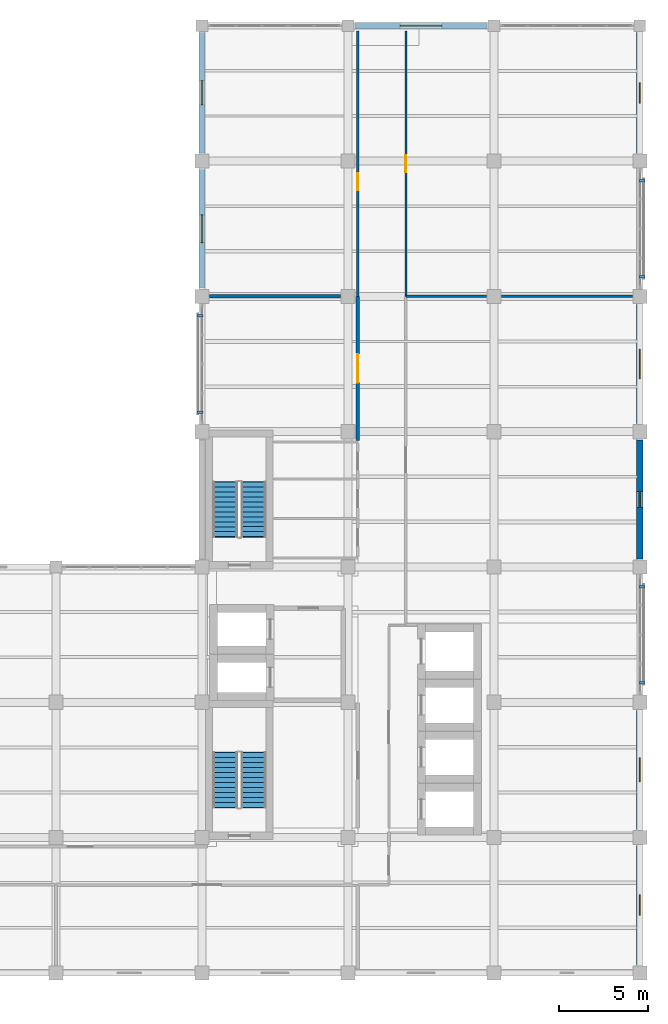
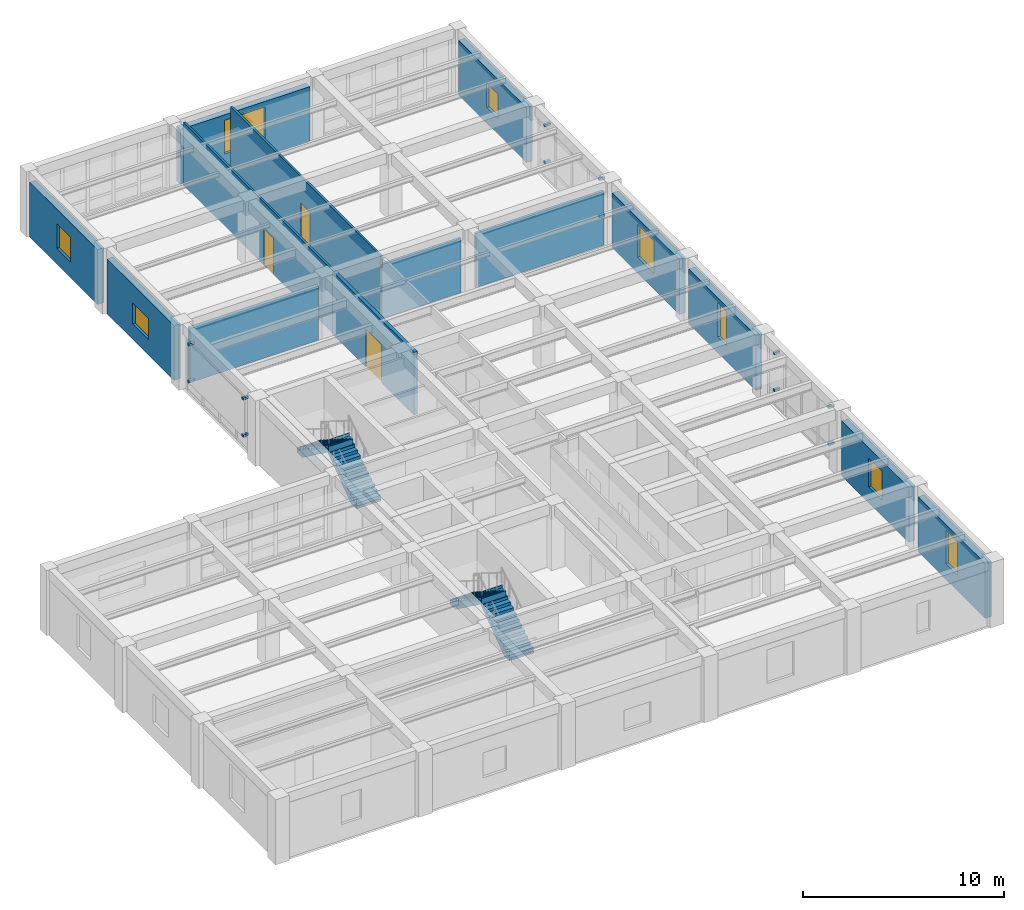
# One storey, part 9 of 13: 14 walls, 12 discrete accessories, 8 windows, 4 stair flights, 3 doors, 11 openings, 2 elements without a shape of their own.
"""IFC4 building model written with IfcOpenShell, lengths in metres."""

from ifc_helpers import new_model, si_unit, direction, frame, frame_2d, origin, origin_2d, place, context, subcontext, project, spatial, polyline, rectangle, outline, extrude, material, layer, layer_set, type_object, element, fill, aggregate, save


model = new_model("IFC4")

# Units and contexts
model_context = context("Model", 3, precision=1e-05, world=origin(), true_north=direction((0.0, 1.0)))
body_context = subcontext(model_context, "Body", "Model", "MODEL_VIEW")
ifc_project = project(units=[si_unit("LENGTHUNIT", "METRE"), si_unit("AREAUNIT", "SQUARE_METRE"), si_unit("VOLUMEUNIT", "CUBIC_METRE"), si_unit("PLANEANGLEUNIT", "RADIAN"), si_unit("MASSUNIT", "GRAM", prefix="KILO")], contexts=[model_context])

# Site, building, storey
site_placement = place(None, origin())
site = spatial("IfcSite", under=ifc_project, at=site_placement, CompositionType="ELEMENT")
building_placement = place(site_placement, origin())
building = spatial("IfcBuilding", under=site, at=building_placement, Name="Qandaris Square Conservatory and Botanical Centre", CompositionType="ELEMENT")
storey_placement = place(building_placement, frame((0.0, 0.0, 45.0)))
storey = spatial("IfcBuildingStorey", under=building, at=storey_placement, Name="L10", CompositionType="ELEMENT", Elevation=45.0)

# Walls
ifc_material_1 = material(Name="Gypsum Plasterboard", Category="gypsum")
ifc_layer_1 = layer(ifc_material_1, 0.14990234375)
ifc_layer_set_1 = layer_set([ifc_layer_1], Name="Gypsum Plasterboard")
wall_type_1 = type_object("IfcWallType", Name="Acoustic Laboratory Partition 150mm", PredefinedType="PARTITIONING", material=ifc_layer_set_1)
wall_1_placement = place(storey_placement, frame((150.64990234375, 54.60009765625, 0.0), z_axis=(0.0, 0.0, 1.0), x_axis=(1.0, 0.0, 0.0)))
element("IfcWall", 1, at=wall_1_placement, inside=storey, type_object=wall_type_1, Name="Interior Partition IW-L10-0363", PredefinedType="PARTITIONING", context=body_context, shape_type="SweptSolid", body=[
    extrude(rectangle(XDim=4.530029296875, YDim=0.14990234375, at=frame_2d((2.26513671875, 0.0))), origin(), (0.0, 0.0, 1.0), 3.284912109375),
])
wall_2_placement = place(storey_placement, frame((156.02001953125, 54.60009765625, 0.0), z_axis=(0.0, 0.0, 1.0), x_axis=(1.0, 0.0, 0.0)))
element("IfcWall", 2, at=wall_2_placement, inside=storey, type_object=wall_type_1, Name="Interior Partition IW-L10-0364", PredefinedType="PARTITIONING", context=body_context, shape_type="SweptSolid", body=[
    extrude(rectangle(XDim=7.35986328125, YDim=0.14990234375, at=frame_2d((3.679931640625, 0.0))), origin(), (0.0, 0.0, 1.0), 3.284912109375),
])

# Wall, opening, window
ifc_material_2 = material(Name="Precast concrete C40/50", Category="concrete")
ifc_layer_2 = layer(ifc_material_2, 0.360107421875)
ifc_layer_set_2 = layer_set([ifc_layer_2], Name="Precast concrete C40/50")
wall_type_2 = type_object("IfcWallType", Name="Architectural Precast Cladding Wall 360mm", PredefinedType="SOLIDWALL", material=ifc_layer_set_2)
wall_3_placement = place(storey_placement, frame((163.800048828125, 17.06005859375, 0.0), z_axis=(0.0, 0.0, 1.0), x_axis=(0.0, 1.0, 0.0)))
wall_3 = element("IfcWall", 3, at=wall_3_placement, inside=storey, type_object=wall_type_2, Name="Exterior Wall EW-TWR-L10-2-1", PredefinedType="SOLIDWALL", context=body_context, shape_type="SweptSolid", body=[
    extrude(rectangle(XDim=6.679931640625, YDim=0.360107421875, at=frame_2d((3.33984375, 0.0))), origin(), (0.0, 0.0, 1.0), 3.3349609375),
])
opening_1_placement = place(wall_3_placement, frame((2.764892578125, 0.0, 0.949951171875)))
opening_1 = element("IfcOpeningElement", 4, at=opening_1_placement, cuts=wall_3, Name="Opening WN-20", PredefinedType="OPENING", context=body_context, shape_type="SweptSolid", body=[
    extrude(rectangle(XDim=1.14990234375, YDim=2.050048828125, at=frame_2d((0.574951171875, 1.02490234375))), frame((0.0, 0.19189453125, 0.0), z_axis=(0.0, -1.0, 0.0), x_axis=(1.0, 0.0, 0.0)), (0.0, 0.0, 1.0), 0.384033203125),
])
ifc_material_3 = material(Name="Tempered Low-E Glass", Category="glass")
window_type_1 = type_object("IfcWindowType", Name="Solar Control Window 1150x2050", PartitioningType="SINGLE_PANEL", PredefinedType="WINDOW", material=ifc_material_3)
window_1_placement = place(opening_1_placement, origin())
window_1 = element("IfcWindow", 5, at=window_1_placement, inside=storey, type_object=window_type_1, Name="Window EW-TWR-L10-2-1", OverallHeight=2.050048828125, OverallWidth=1.14990234375, PartitioningType="SINGLE_PANEL", PredefinedType="WINDOW", context=body_context, shape_type="SweptSolid", body=[
    extrude(rectangle(XDim=1.14990234375, YDim=2.050048828125, at=frame_2d((0.574951171875, 1.02490234375))), frame((0.0, 0.030029296875, 0.0), z_axis=(0.0, -1.0, 0.0), x_axis=(1.0, 0.0, 0.0)), (0.0, 0.0, 1.0), 0.06005859375),
])
fill(opening_1, window_1)

wall_4_placement = place(storey_placement, frame((163.800048828125, 24.659912109375, 0.0), z_axis=(0.0, 0.0, 1.0), x_axis=(0.0, 1.0, 0.0)))
wall_4 = element("IfcWall", 6, at=wall_4_placement, inside=storey, type_object=wall_type_2, Name="Exterior Wall EW-TWR-L10-2-2", PredefinedType="SOLIDWALL", context=body_context, shape_type="SweptSolid", body=[
    extrude(rectangle(XDim=6.68017578125, YDim=0.360107421875, at=frame_2d((3.340087890625, 0.0))), origin(), (0.0, 0.0, 1.0), 3.3349609375),
])
opening_2_placement = place(wall_4_placement, frame((2.6650390625, 0.0, 0.949951171875)))
opening_2 = element("IfcOpeningElement", 7, at=opening_2_placement, cuts=wall_4, Name="Opening WN-23", PredefinedType="OPENING", context=body_context, shape_type="SweptSolid", body=[
    extrude(rectangle(XDim=1.35009765625, YDim=1.75, at=frame_2d((0.675048828125, 0.875))), frame((0.0, 0.19189453125, 0.0), z_axis=(0.0, -1.0, 0.0), x_axis=(1.0, 0.0, 0.0)), (0.0, 0.0, 1.0), 0.384033203125),
])
window_type_2 = type_object("IfcWindowType", Name="Solar Control Window 1350x1750", PartitioningType="SINGLE_PANEL", PredefinedType="WINDOW", material=ifc_material_3)
window_2_placement = place(opening_2_placement, origin())
window_2 = element("IfcWindow", 8, at=window_2_placement, inside=storey, type_object=window_type_2, Name="Window EW-TWR-L10-2-2", OverallHeight=1.75, OverallWidth=1.35009765625, PartitioningType="SINGLE_PANEL", PredefinedType="WINDOW", context=body_context, shape_type="SweptSolid", body=[
    extrude(rectangle(XDim=1.35009765625, YDim=1.75, at=frame_2d((0.675048828125, 0.875))), frame((0.0, 0.030029296875, 0.0), z_axis=(0.0, -1.0, 0.0), x_axis=(1.0, 0.0, 0.0)), (0.0, 0.0, 1.0), 0.06005859375),
])
fill(opening_2, window_2)

wall_5_placement = place(storey_placement, frame((163.800048828125, 39.860107421875, 0.0), z_axis=(0.0, 0.0, 1.0), x_axis=(0.0, 1.0, 0.0)))
wall_5 = element("IfcWall", 9, at=wall_5_placement, inside=storey, type_object=wall_type_2, Name="Exterior Wall EW-TWR-L10-2-4", PredefinedType="SOLIDWALL", context=body_context, shape_type="SweptSolid", body=[
    extrude(rectangle(XDim=6.679931640625, YDim=0.360107421875, at=frame_2d((3.33984375, 0.0))), origin(), (0.0, 0.0, 1.0), 3.3349609375),
])
opening_3_placement = place(wall_5_placement, frame((2.889892578125, 0.0, 0.949951171875)))
opening_3 = element("IfcOpeningElement", 10, at=opening_3_placement, cuts=wall_5, Name="Opening WN-01", PredefinedType="OPENING", context=body_context, shape_type="SweptSolid", body=[
    extrude(rectangle(XDim=0.89990234375, YDim=2.10009765625, at=frame_2d((0.449951171875, 1.050048828125))), frame((0.0, 0.19189453125, 0.0), z_axis=(0.0, -1.0, 0.0), x_axis=(1.0, 0.0, 0.0)), (0.0, 0.0, 1.0), 0.384033203125),
])
window_type_3 = type_object("IfcWindowType", Name="Deep-Set Solar Slot Window 900x2100", PartitioningType="SINGLE_PANEL", PredefinedType="WINDOW", material=ifc_material_3)
window_3_placement = place(opening_3_placement, origin())
window_3 = element("IfcWindow", 11, at=window_3_placement, inside=storey, type_object=window_type_3, Name="Window EW-TWR-L10-2-4", OverallHeight=2.10009765625, OverallWidth=0.89990234375, PartitioningType="SINGLE_PANEL", PredefinedType="WINDOW", context=body_context, shape_type="SweptSolid", body=[
    extrude(rectangle(XDim=0.89990234375, YDim=2.10009765625, at=frame_2d((0.449951171875, 1.050048828125))), frame((0.0, 0.030029296875, 0.0), z_axis=(0.0, -1.0, 0.0), x_axis=(1.0, 0.0, 0.0)), (0.0, 0.0, 1.0), 0.06005859375),
])
fill(opening_3, window_3)

wall_6_placement = place(storey_placement, frame((163.800048828125, 47.4599609375, 0.0), z_axis=(0.0, 0.0, 1.0), x_axis=(0.0, 1.0, 0.0)))
wall_6 = element("IfcWall", 12, at=wall_6_placement, inside=storey, type_object=wall_type_2, Name="Exterior Wall EW-TWR-L10-2-5", PredefinedType="SOLIDWALL", context=body_context, shape_type="SweptSolid", body=[
    extrude(rectangle(XDim=6.679931640625, YDim=0.360107421875, at=frame_2d((3.33984375, 0.0))), origin(), (0.0, 0.0, 1.0), 3.3349609375),
])
opening_4_placement = place(wall_6_placement, frame((2.514892578125, 0.0, 0.949951171875)))
opening_4 = element("IfcOpeningElement", 13, at=opening_4_placement, cuts=wall_6, Name="Opening WN-08", PredefinedType="OPENING", context=body_context, shape_type="SweptSolid", body=[
    extrude(rectangle(XDim=1.64990234375, YDim=2.0, at=frame_2d((0.824951171875, 1.0))), frame((0.0, 0.19189453125, 0.0), z_axis=(0.0, -1.0, 0.0), x_axis=(1.0, 0.0, 0.0)), (0.0, 0.0, 1.0), 0.384033203125),
])
window_type_4 = type_object("IfcWindowType", Name="Seminar Courtyard Window 1650x2000", PartitioningType="DOUBLE_PANEL_VERTICAL", PredefinedType="WINDOW", material=ifc_material_3)
window_4_placement = place(opening_4_placement, origin())
window_4 = element("IfcWindow", 14, at=window_4_placement, inside=storey, type_object=window_type_4, Name="Window EW-TWR-L10-2-5", OverallHeight=2.0, OverallWidth=1.64990234375, PartitioningType="DOUBLE_PANEL_VERTICAL", PredefinedType="WINDOW", context=body_context, shape_type="SweptSolid", body=[
    extrude(rectangle(XDim=1.64990234375, YDim=2.0, at=frame_2d((0.824951171875, 1.0))), frame((0.0, 0.030029296875, 0.0), z_axis=(0.0, -1.0, 0.0), x_axis=(1.0, 0.0, 0.0)), (0.0, 0.0, 1.0), 0.06005859375),
])
fill(opening_4, window_4)

wall_7_placement = place(storey_placement, frame((163.800048828125, 62.659912109375, 0.0), z_axis=(0.0, 0.0, 1.0), x_axis=(0.0, 1.0, 0.0)))
wall_7 = element("IfcWall", 15, at=wall_7_placement, inside=storey, type_object=wall_type_2, Name="Exterior Wall EW-TWR-L10-2-7", PredefinedType="SOLIDWALL", context=body_context, shape_type="SweptSolid", body=[
    extrude(rectangle(XDim=6.755126953125, YDim=0.360107421875, at=frame_2d((3.37744140625, 0.0))), origin(), (0.0, 0.0, 1.0), 3.3349609375),
])
opening_5_placement = place(wall_7_placement, frame((2.802490234375, 0.0, 0.949951171875)))
opening_5 = element("IfcOpeningElement", 16, at=opening_5_placement, cuts=wall_7, Name="Opening WN-18", PredefinedType="OPENING", context=body_context, shape_type="SweptSolid", body=[
    extrude(rectangle(XDim=1.14990234375, YDim=1.5, at=frame_2d((0.574951171875, 0.75))), frame((0.0, 0.19189453125, 0.0), z_axis=(0.0, -1.0, 0.0), x_axis=(1.0, 0.0, 0.0)), (0.0, 0.0, 1.0), 0.384033203125),
])
window_type_5 = type_object("IfcWindowType", Name="Solar Control Window 1150x1500", PartitioningType="SINGLE_PANEL", PredefinedType="WINDOW", material=ifc_material_3)
window_5_placement = place(opening_5_placement, origin())
window_5 = element("IfcWindow", 17, at=window_5_placement, inside=storey, type_object=window_type_5, Name="Window EW-TWR-L10-2-7", OverallHeight=1.5, OverallWidth=1.14990234375, PartitioningType="SINGLE_PANEL", PredefinedType="WINDOW", context=body_context, shape_type="SweptSolid", body=[
    extrude(rectangle(XDim=1.14990234375, YDim=1.5, at=frame_2d((0.574951171875, 0.75))), frame((0.0, 0.030029296875, 0.0), z_axis=(0.0, -1.0, 0.0), x_axis=(1.0, 0.0, 0.0)), (0.0, 0.0, 1.0), 0.06005859375),
])
fill(opening_5, window_5)

wall_8_placement = place(storey_placement, frame((155.215087890625, 69.800048828125, 0.0), z_axis=(0.0, 0.0, 1.0), x_axis=(-1.0, 0.0, 0.0)))
wall_8 = element("IfcWall", 18, at=wall_8_placement, inside=storey, type_object=wall_type_2, Name="Exterior Wall EW-TWR-L10-3-2", PredefinedType="SOLIDWALL", context=body_context, shape_type="SweptSolid", body=[
    extrude(rectangle(XDim=7.43017578125, YDim=0.360107421875, at=frame_2d((3.715087890625, 0.0))), origin(), (0.0, 0.0, 1.0), 3.3349609375),
])
opening_6_placement = place(wall_8_placement, frame((2.5400390625, 0.0, 0.949951171875)))
opening_6 = element("IfcOpeningElement", 19, at=opening_6_placement, cuts=wall_8, Name="Opening WN-40", PredefinedType="OPENING", context=body_context, shape_type="SweptSolid", body=[
    extrude(rectangle(XDim=2.35009765625, YDim=2.050048828125, at=frame_2d((1.175048828125, 1.02490234375))), frame((0.0, 0.19189453125, 0.0), z_axis=(0.0, -1.0, 0.0), x_axis=(1.0, 0.0, 0.0)), (0.0, 0.0, 1.0), 0.384033203125),
])
window_type_6 = type_object("IfcWindowType", Name="Solar Control Window 2350x2050", PartitioningType="DOUBLE_PANEL_VERTICAL", PredefinedType="WINDOW", material=ifc_material_3)
window_6_placement = place(opening_6_placement, origin())
window_6 = element("IfcWindow", 20, at=window_6_placement, inside=storey, type_object=window_type_6, Name="Window EW-TWR-L10-3-2", OverallHeight=2.050048828125, OverallWidth=2.35009765625, PartitioningType="DOUBLE_PANEL_VERTICAL", PredefinedType="WINDOW", context=body_context, shape_type="SweptSolid", body=[
    extrude(rectangle(XDim=2.35009765625, YDim=2.050048828125, at=frame_2d((1.175048828125, 1.02490234375))), frame((0.0, 0.030029296875, 0.0), z_axis=(0.0, -1.0, 0.0), x_axis=(1.0, 0.0, 0.0)), (0.0, 0.0, 1.0), 0.06005859375),
])
fill(opening_6, window_6)

wall_9_placement = place(storey_placement, frame((139.199951171875, 69.4150390625, 0.0), z_axis=(0.0, 0.0, 1.0), x_axis=(0.0, -1.0, 0.0)))
wall_9 = element("IfcWall", 21, at=wall_9_placement, inside=storey, type_object=wall_type_2, Name="Exterior Wall EW-TWR-L10-4-1", PredefinedType="SOLIDWALL", context=body_context, shape_type="SweptSolid", body=[
    extrude(rectangle(XDim=6.755126953125, YDim=0.360107421875, at=frame_2d((3.37744140625, 0.0))), origin(), (0.0, 0.0, 1.0), 3.3349609375),
])
opening_7_placement = place(wall_9_placement, frame((2.702392578125, 0.0, 0.949951171875)))
opening_7 = element("IfcOpeningElement", 22, at=opening_7_placement, cuts=wall_9, Name="Opening WN-22", PredefinedType="OPENING", context=body_context, shape_type="SweptSolid", body=[
    extrude(rectangle(XDim=1.35009765625, YDim=1.5, at=frame_2d((0.675048828125, 0.75))), frame((0.0, 0.19189453125, 0.0), z_axis=(0.0, -1.0, 0.0), x_axis=(1.0, 0.0, 0.0)), (0.0, 0.0, 1.0), 0.384033203125),
])
window_type_7 = type_object("IfcWindowType", Name="Solar Control Window 1350x1500", PartitioningType="SINGLE_PANEL", PredefinedType="WINDOW", material=ifc_material_3)
window_7_placement = place(opening_7_placement, origin())
window_7 = element("IfcWindow", 23, at=window_7_placement, inside=storey, type_object=window_type_7, Name="Window EW-TWR-L10-4-1", OverallHeight=1.5, OverallWidth=1.35009765625, PartitioningType="SINGLE_PANEL", PredefinedType="WINDOW", context=body_context, shape_type="SweptSolid", body=[
    extrude(rectangle(XDim=1.35009765625, YDim=1.5, at=frame_2d((0.675048828125, 0.75))), frame((0.0, 0.030029296875, 0.0), z_axis=(0.0, -1.0, 0.0), x_axis=(1.0, 0.0, 0.0)), (0.0, 0.0, 1.0), 0.06005859375),
])
fill(opening_7, window_7)

wall_10_placement = place(storey_placement, frame((139.199951171875, 61.739990234375, 0.0), z_axis=(0.0, 0.0, 1.0), x_axis=(0.0, -1.0, 0.0)))
wall_10 = element("IfcWall", 24, at=wall_10_placement, inside=storey, type_object=wall_type_2, Name="Exterior Wall EW-TWR-L10-4-2", PredefinedType="SOLIDWALL", context=body_context, shape_type="SweptSolid", body=[
    extrude(rectangle(XDim=6.679931640625, YDim=0.360107421875, at=frame_2d((3.33984375, 0.0))), origin(), (0.0, 0.0, 1.0), 3.3349609375),
])
opening_8_placement = place(wall_10_placement, frame((2.56494140625, 0.0, 0.949951171875)))
opening_8 = element("IfcOpeningElement", 25, at=opening_8_placement, cuts=wall_10, Name="Opening WN-25", PredefinedType="OPENING", context=body_context, shape_type="SweptSolid", body=[
    extrude(rectangle(XDim=1.550048828125, YDim=1.25, at=frame_2d((0.77490234375, 0.625))), frame((0.0, 0.19189453125, 0.0), z_axis=(0.0, -1.0, 0.0), x_axis=(1.0, 0.0, 0.0)), (0.0, 0.0, 1.0), 0.384033203125),
])
window_type_8 = type_object("IfcWindowType", Name="Solar Control Window 1550x1250", PartitioningType="DOUBLE_PANEL_VERTICAL", PredefinedType="WINDOW", material=ifc_material_3)
window_8_placement = place(opening_8_placement, origin())
window_8 = element("IfcWindow", 26, at=window_8_placement, inside=storey, type_object=window_type_8, Name="Window EW-TWR-L10-4-2", OverallHeight=1.25, OverallWidth=1.550048828125, PartitioningType="DOUBLE_PANEL_VERTICAL", PredefinedType="WINDOW", context=body_context, shape_type="SweptSolid", body=[
    extrude(rectangle(XDim=1.550048828125, YDim=1.25, at=frame_2d((0.77490234375, 0.625))), frame((0.0, 0.030029296875, 0.0), z_axis=(0.0, -1.0, 0.0), x_axis=(1.0, 0.0, 0.0)), (0.0, 0.0, 1.0), 0.06005859375),
])
fill(opening_8, window_8)

# Wall, opening, door
ifc_material_4 = material(Name="Concrete C40/50", Category="concrete")
ifc_layer_3 = layer(ifc_material_4, 0.199951171875)
ifc_layer_set_3 = layer_set([ifc_layer_3], Name="Concrete C40/50")
wall_type_3 = type_object("IfcWallType", Name="Herbarium & Plant Compartment Wall 200mm", PredefinedType="PARTITIONING", material=ifc_layer_set_3)
wall_11_placement = place(storey_placement, frame((147.949951171875, 46.510009765625, 0.0), z_axis=(0.0, 0.0, 1.0), x_axis=(0.0, 1.0, 0.0)))
wall_11 = element("IfcWall", 27, at=wall_11_placement, inside=storey, type_object=wall_type_3, Name="Interior Partition IW-L10-0357", PredefinedType="PARTITIONING", context=body_context, shape_type="SweptSolid", body=[
    extrude(rectangle(XDim=8.090087890625, YDim=0.199951171875, at=frame_2d((4.044921875, 0.0))), origin(), (0.0, 0.0, 1.0), 3.804931640625),
])
opening_9_placement = place(wall_11_placement, frame((3.2451171875, 0.0, 0.0)))
opening_9 = element("IfcOpeningElement", 28, at=opening_9_placement, cuts=wall_11, Name="Opening D-HRB1", PredefinedType="OPENING", context=body_context, shape_type="SweptSolid", body=[
    extrude(rectangle(XDim=1.60009765625, YDim=2.300048828125, at=frame_2d((0.800048828125, 1.14990234375))), frame((0.0, 0.11181640625, 0.0), z_axis=(0.0, -1.0, 0.0), x_axis=(1.0, 0.0, 0.0)), (0.0, 0.0, 1.0), 0.223876953125),
])
ifc_material_5 = material(Name="Steel S355", Category="steel")
door_type_1 = type_object("IfcDoorType", Name="Herbarium Sealable Specimen Double Door 1600x2300", OperationType="DOUBLE_DOOR_SINGLE_SWING", PredefinedType="DOOR", material=ifc_material_5)
door_1_placement = place(opening_9_placement, origin())
door_1 = element("IfcDoor", 29, at=door_1_placement, inside=storey, type_object=door_type_1, Name="DR-0318 Carpology Dormancy Specimen Prep Room Door", OperationType="DOUBLE_DOOR_SINGLE_SWING", OverallHeight=2.300048828125, OverallWidth=1.60009765625, PredefinedType="DOOR", context=body_context, shape_type="SweptSolid", body=[
    extrude(rectangle(XDim=1.60009765625, YDim=2.300048828125, at=frame_2d((0.800048828125, 1.14990234375))), frame((0.0, 0.02490234375, 0.0), z_axis=(0.0, -1.0, 0.0), x_axis=(1.0, 0.0, 0.0)), (0.0, 0.0, 1.0), 0.050048828125),
])
fill(opening_9, door_1)

# Wall
wall_12_placement = place(storey_placement, frame((139.6201171875, 54.60009765625, 0.0), z_axis=(0.0, 0.0, 1.0), x_axis=(1.0, 0.0, 0.0)))
element("IfcWall", 30, at=wall_12_placement, inside=storey, type_object=wall_type_3, Name="Interior Partition IW-L10-0365", PredefinedType="PARTITIONING", context=body_context, shape_type="SweptSolid", body=[
    extrude(rectangle(XDim=7.35986328125, YDim=0.199951171875, at=frame_2d((3.679931640625, 0.0))), origin(), (0.0, 0.0, 1.0), 3.284912109375),
])

# Wall, opening, door
ifc_layer_4 = layer(ifc_material_1, 0.1201171875)
ifc_layer_set_4 = layer_set([ifc_layer_4], Name="Gypsum Plasterboard")
wall_type_4 = type_object("IfcWallType", Name="Standard Research Partition 120mm", PredefinedType="PARTITIONING", material=ifc_layer_set_4)
wall_13_placement = place(storey_placement, frame((147.949951171875, 54.60009765625, 0.0), z_axis=(0.0, 0.0, 1.0), x_axis=(0.0, 1.0, 0.0)))
wall_13 = element("IfcWall", 31, at=wall_13_placement, inside=storey, type_object=wall_type_4, Name="Interior Partition IW-L10-0358", PredefinedType="PARTITIONING", context=body_context, shape_type="SweptSolid", body=[
    extrude(rectangle(XDim=14.89990234375, YDim=0.1201171875, at=frame_2d((7.449951171875, 0.0))), origin(), (0.0, 0.0, 1.0), 3.804931640625),
])
opening_10_placement = place(wall_13_placement, frame((5.96826171875, 0.0, 0.0)))
opening_10 = element("IfcOpeningElement", 32, at=opening_10_placement, cuts=wall_13, Name="Opening D-OFF1", PredefinedType="OPENING", context=body_context, shape_type="SweptSolid", body=[
    extrude(rectangle(XDim=0.949951171875, YDim=2.199951171875, at=frame_2d((0.47509765625, 1.10009765625))), frame((0.0, 0.072021484375, 0.0), z_axis=(0.0, -1.0, 0.0), x_axis=(1.0, 0.0, 0.0)), (0.0, 0.0, 1.0), 0.14404296875),
])
ifc_material_6 = material(Name="Engineered Oak Timber", Category="wood")
door_type_2 = type_object("IfcDoorType", Name="Research Office Acoustic Door 950x2200", OperationType="NOTDEFINED", PredefinedType="DOOR", material=ifc_material_6)
door_2_placement = place(opening_10_placement, frame((0.949951171875, 0.0, 0.0), z_axis=(0.0, 0.0, 1.0), x_axis=(-1.0, 0.0, 0.0)))
door_2 = element("IfcDoor", 33, at=door_2_placement, inside=storey, type_object=door_type_2, Name="DR-0323 Quantitative Ecology Collaborative Seminar Room Door", OperationType="SINGLE_SWING_LEFT", OverallHeight=2.199951171875, OverallWidth=0.949951171875, PredefinedType="DOOR", context=body_context, shape_type="SweptSolid", body=[
    extrude(rectangle(XDim=0.949951171875, YDim=2.199951171875, at=frame_2d((0.47509765625, 1.10009765625))), frame((0.0, 0.02490234375, 0.0), z_axis=(0.0, -1.0, 0.0), x_axis=(1.0, 0.0, 0.0)), (0.0, 0.0, 1.0), 0.050048828125),
])
fill(opening_10, door_2)

wall_14_placement = place(storey_placement, frame((150.64990234375, 69.5, 0.0), z_axis=(0.0, 0.0, 1.0), x_axis=(0.0, -1.0, 0.0)))
wall_14 = element("IfcWall", 34, at=wall_14_placement, inside=storey, type_object=wall_type_4, Name="Interior Partition IW-L10-0359", PredefinedType="PARTITIONING", context=body_context, shape_type="SweptSolid", body=[
    extrude(rectangle(XDim=14.89990234375, YDim=0.1201171875, at=frame_2d((7.449951171875, 0.0))), origin(), (0.0, 0.0, 1.0), 3.804931640625),
])
opening_11_placement = place(wall_14_placement, frame((6.97509765625, 0.0, 0.0)))
opening_11 = element("IfcOpeningElement", 35, at=opening_11_placement, cuts=wall_14, Name="Opening D-OFF1", PredefinedType="OPENING", context=body_context, shape_type="SweptSolid", body=[
    extrude(rectangle(XDim=0.949951171875, YDim=2.199951171875, at=frame_2d((0.47509765625, 1.10009765625))), frame((0.0, 0.072021484375, 0.0), z_axis=(0.0, -1.0, 0.0), x_axis=(1.0, 0.0, 0.0)), (0.0, 0.0, 1.0), 0.14404296875),
])
door_3_placement = place(opening_11_placement, origin())
door_3 = element("IfcDoor", 36, at=door_3_placement, inside=storey, type_object=door_type_2, Name="DR-0324 Floor L10 Staff Write-Up Lounge Door", OperationType="SINGLE_SWING_RIGHT", OverallHeight=2.199951171875, OverallWidth=0.949951171875, PredefinedType="DOOR", context=body_context, shape_type="SweptSolid", body=[
    extrude(rectangle(XDim=0.949951171875, YDim=2.199951171875, at=frame_2d((0.47509765625, 1.10009765625))), frame((0.0, 0.02490234375, 0.0), z_axis=(0.0, -1.0, 0.0), x_axis=(1.0, 0.0, 0.0)), (0.0, 0.0, 1.0), 0.050048828125),
])
fill(opening_11, door_3)

# Stair, stair flights
stair_type = type_object("IfcStairType", Name="Core Escape Scissor Stair", PredefinedType="HALF_TURN_STAIR", material=ifc_material_4)
stair_1_placement = place(storey_placement, origin())
stair_1 = element("IfcStair", 37, at=stair_1_placement, inside=storey, type_object=stair_type, Name="L10 Tower South Exit Stair ST-1", PredefinedType="HALF_TURN_STAIR")
stair_flight_type = type_object("IfcStairFlightType", Name="RC Precast Stair Flight 1400mm", PredefinedType="STRAIGHT", material=ifc_material_2)
stair_flight_1_placement = place(storey_placement, frame((142.10009765625, 25.89990234375, 0.0), z_axis=(0.0, 0.0, 1.0), x_axis=(0.0, 1.0, 0.0)))
stair_flight_1 = element("IfcStairFlight", 38, at=stair_flight_1_placement, type_object=stair_flight_type, Name="ST-1 flight 1", NumberOfRisers=12, NumberOfTreads=11, PredefinedType="STRAIGHT", RiserHeight=0.175, TreadLength=0.28, context=body_context, shape_type="SweptSolid", body=[
    extrude(outline(polyline([(-0.034912109375, 0.0), (0.0, 0.0), (0.0, 0.175048828125), (0.280029296875, 0.175048828125), (0.280029296875, 0.35009765625), (0.56005859375, 0.35009765625), (0.56005859375, 0.52490234375), (0.840087890625, 0.52490234375), (0.840087890625, 0.699951171875), (1.1201171875, 0.699951171875), (1.1201171875, 0.875), (1.39990234375, 0.875), (1.39990234375, 1.050048828125), (1.679931640625, 1.050048828125), (1.679931640625, 1.22509765625), (1.9599609375, 1.22509765625), (1.9599609375, 1.39990234375), (2.239990234375, 1.39990234375), (2.239990234375, 1.574951171875), (2.52001953125, 1.574951171875), (2.52001953125, 1.75), (2.800048828125, 1.75), (2.800048828125, 1.925048828125), (3.080078125, 1.925048828125), (3.080078125, 2.10009765625), (3.114990234375, 2.10009765625), (3.114990234375, 1.748291015625), (3.080078125, 1.748291015625), (0.5068359375, -0.139892578125), (-0.034912109375, -0.139892578125), (-0.034912109375, 0.0)])), frame((0.0, 0.699951171875, 0.0), z_axis=(0.0, -1.0, 0.0), x_axis=(1.0, 0.0, 0.0)), (0.0, 0.0, 1.0), 1.39990234375),
])
stair_flight_2_placement = place(storey_placement, frame((140.5, 28.97998046875, 2.10009765625), z_axis=(0.0, 0.0, 1.0), x_axis=(0.0, -1.0, 0.0)))
stair_flight_2 = element("IfcStairFlight", 39, at=stair_flight_2_placement, type_object=stair_flight_type, Name="ST-1 flight 2", NumberOfRisers=12, NumberOfTreads=11, PredefinedType="STRAIGHT", RiserHeight=0.175, TreadLength=0.28, context=body_context, shape_type="SweptSolid", body=[
    extrude(outline(polyline([(-0.034912109375, 0.0), (0.0, 0.0), (0.0, 0.175048828125), (0.280029296875, 0.175048828125), (0.280029296875, 0.35009765625), (0.56005859375, 0.35009765625), (0.56005859375, 0.52490234375), (0.840087890625, 0.52490234375), (0.840087890625, 0.699951171875), (1.1201171875, 0.699951171875), (1.1201171875, 0.875), (1.39990234375, 0.875), (1.39990234375, 1.050048828125), (1.679931640625, 1.050048828125), (1.679931640625, 1.22509765625), (1.9599609375, 1.22509765625), (1.9599609375, 1.39990234375), (2.239990234375, 1.39990234375), (2.239990234375, 1.574951171875), (2.52001953125, 1.574951171875), (2.52001953125, 1.75), (2.800048828125, 1.75), (2.800048828125, 1.925048828125), (3.080078125, 1.925048828125), (3.080078125, 2.10009765625), (3.114990234375, 2.10009765625), (3.114990234375, 1.748291015625), (3.080078125, 1.748291015625), (0.5068359375, -0.139892578125), (-0.034912109375, -0.139892578125), (-0.034912109375, 0.0)])), frame((0.0, 0.699951171875, 0.0), z_axis=(0.0, -1.0, 0.0), x_axis=(1.0, 0.0, 0.0)), (0.0, 0.0, 1.0), 1.39990234375),
])
aggregate(stair_1, [stair_flight_1, stair_flight_2])

stair_2_placement = place(storey_placement, origin())
stair_2 = element("IfcStair", 40, at=stair_2_placement, inside=storey, type_object=stair_type, Name="L10 Tower North Exit Stair ST-2", PredefinedType="HALF_TURN_STAIR")
stair_flight_3_placement = place(storey_placement, frame((142.10009765625, 41.10009765625, 0.0), z_axis=(0.0, 0.0, 1.0), x_axis=(0.0, 1.0, 0.0)))
stair_flight_3 = element("IfcStairFlight", 41, at=stair_flight_3_placement, type_object=stair_flight_type, Name="ST-2 flight 1", NumberOfRisers=12, NumberOfTreads=11, PredefinedType="STRAIGHT", RiserHeight=0.175, TreadLength=0.28, context=body_context, shape_type="SweptSolid", body=[
    extrude(outline(polyline([(-0.034912109375, 0.0), (0.0, 0.0), (0.0, 0.175048828125), (0.280029296875, 0.175048828125), (0.280029296875, 0.35009765625), (0.56005859375, 0.35009765625), (0.56005859375, 0.52490234375), (0.840087890625, 0.52490234375), (0.840087890625, 0.699951171875), (1.1201171875, 0.699951171875), (1.1201171875, 0.875), (1.39990234375, 0.875), (1.39990234375, 1.050048828125), (1.679931640625, 1.050048828125), (1.679931640625, 1.22509765625), (1.9599609375, 1.22509765625), (1.9599609375, 1.39990234375), (2.239990234375, 1.39990234375), (2.239990234375, 1.574951171875), (2.52001953125, 1.574951171875), (2.52001953125, 1.75), (2.800048828125, 1.75), (2.800048828125, 1.925048828125), (3.080078125, 1.925048828125), (3.080078125, 2.10009765625), (3.114990234375, 2.10009765625), (3.114990234375, 1.748291015625), (3.080078125, 1.748291015625), (0.5068359375, -0.139892578125), (-0.034912109375, -0.139892578125), (-0.034912109375, 0.0)])), frame((0.0, 0.699951171875, 0.0), z_axis=(0.0, -1.0, 0.0), x_axis=(1.0, 0.0, 0.0)), (0.0, 0.0, 1.0), 1.39990234375),
])
stair_flight_4_placement = place(storey_placement, frame((140.5, 44.179931640625, 2.10009765625), z_axis=(0.0, 0.0, 1.0), x_axis=(0.0, -1.0, 0.0)))
stair_flight_4 = element("IfcStairFlight", 42, at=stair_flight_4_placement, type_object=stair_flight_type, Name="ST-2 flight 2", NumberOfRisers=12, NumberOfTreads=11, PredefinedType="STRAIGHT", RiserHeight=0.175, TreadLength=0.28, context=body_context, shape_type="SweptSolid", body=[
    extrude(outline(polyline([(-0.034912109375, 0.0), (0.0, 0.0), (0.0, 0.175048828125), (0.280029296875, 0.175048828125), (0.280029296875, 0.35009765625), (0.56005859375, 0.35009765625), (0.56005859375, 0.52490234375), (0.840087890625, 0.52490234375), (0.840087890625, 0.699951171875), (1.1201171875, 0.699951171875), (1.1201171875, 0.875), (1.39990234375, 0.875), (1.39990234375, 1.050048828125), (1.679931640625, 1.050048828125), (1.679931640625, 1.22509765625), (1.9599609375, 1.22509765625), (1.9599609375, 1.39990234375), (2.239990234375, 1.39990234375), (2.239990234375, 1.574951171875), (2.52001953125, 1.574951171875), (2.52001953125, 1.75), (2.800048828125, 1.75), (2.800048828125, 1.925048828125), (3.080078125, 1.925048828125), (3.080078125, 2.10009765625), (3.114990234375, 2.10009765625), (3.114990234375, 1.748291015625), (3.080078125, 1.748291015625), (0.5068359375, -0.139892578125), (-0.034912109375, -0.139892578125), (-0.034912109375, 0.0)])), frame((0.0, 0.699951171875, 0.0), z_axis=(0.0, -1.0, 0.0), x_axis=(1.0, 0.0, 0.0)), (0.0, 0.0, 1.0), 1.39990234375),
])
aggregate(stair_2, [stair_flight_3, stair_flight_4])

# Discrete accessories
discrete_accessory_type = type_object("IfcDiscreteAccessoryType", Name="Mashrabiya Support Outrigger Bracket", PredefinedType="BRACKET", material=ifc_material_5)
for number, where, z_axis, x_axis, name in (
    (43, (163.909912109375, 32.89990234375, 0.85400390625), (0.0, 0.0, 1.0), (0.0, 1.0, 0.0), "Mashrabiya Bracket CW-TWR-L10-2-3-BRK-6-459"),
    (44, (163.909912109375, 32.89990234375, 3.10009765625), (0.0, 0.0, 1.0), (0.0, 1.0, 0.0), "Mashrabiya Bracket CW-TWR-L10-2-3-BRK-6-482"),
    (45, (163.909912109375, 38.300048828125, 0.85400390625), (0.0, 0.0, 1.0), (0.0, 1.0, 0.0), "Mashrabiya Bracket CW-TWR-L10-2-3-BRK-60-459"),
    (46, (163.909912109375, 38.300048828125, 3.10009765625), (0.0, 0.0, 1.0), (0.0, 1.0, 0.0), "Mashrabiya Bracket CW-TWR-L10-2-3-BRK-60-482"),
    (47, (163.909912109375, 55.699951171875, 0.85400390625), (0.0, 0.0, 1.0), (0.0, 1.0, 0.0), "Mashrabiya Bracket CW-TWR-L10-2-6-BRK-6-459"),
    (48, (163.909912109375, 55.699951171875, 3.10009765625), (0.0, 0.0, 1.0), (0.0, 1.0, 0.0), "Mashrabiya Bracket CW-TWR-L10-2-6-BRK-6-482"),
    (49, (163.909912109375, 61.10009765625, 0.85400390625), (0.0, 0.0, 1.0), (0.0, 1.0, 0.0), "Mashrabiya Bracket CW-TWR-L10-2-6-BRK-60-459"),
    (50, (163.909912109375, 61.10009765625, 3.10009765625), (0.0, 0.0, 1.0), (0.0, 1.0, 0.0), "Mashrabiya Bracket CW-TWR-L10-2-6-BRK-60-482"),
    (51, (139.090087890625, 53.5, 0.85400390625), (0.0, 0.0, 1.0), (0.0, -1.0, 0.0), "Mashrabiya Bracket CW-TWR-L10-4-3-BRK-6-459"),
    (52, (139.090087890625, 53.5, 3.10009765625), (0.0, 0.0, 1.0), (0.0, -1.0, 0.0), "Mashrabiya Bracket CW-TWR-L10-4-3-BRK-6-482"),
    (53, (139.090087890625, 48.10009765625, 0.85400390625), (0.0, 0.0, 1.0), (0.0, -1.0, 0.0), "Mashrabiya Bracket CW-TWR-L10-4-3-BRK-60-459"),
    (54, (139.090087890625, 48.10009765625, 3.10009765625), (0.0, 0.0, 1.0), (0.0, -1.0, 0.0), "Mashrabiya Bracket CW-TWR-L10-4-3-BRK-60-482"),
):
    element("IfcDiscreteAccessory", number, at=place(storey_placement, frame(where, z_axis=z_axis, x_axis=x_axis)), inside=storey, type_object=discrete_accessory_type, Name=name, PredefinedType="BRACKET", context=body_context, shape_type="SweptSolid", body=[
        extrude(rectangle(XDim=0.139892578125, YDim=0.340087890625, at=origin_2d()), origin(), (0.0, 0.0, 1.0), 0.139892578125),
    ])

save(model, "model.ifc")
